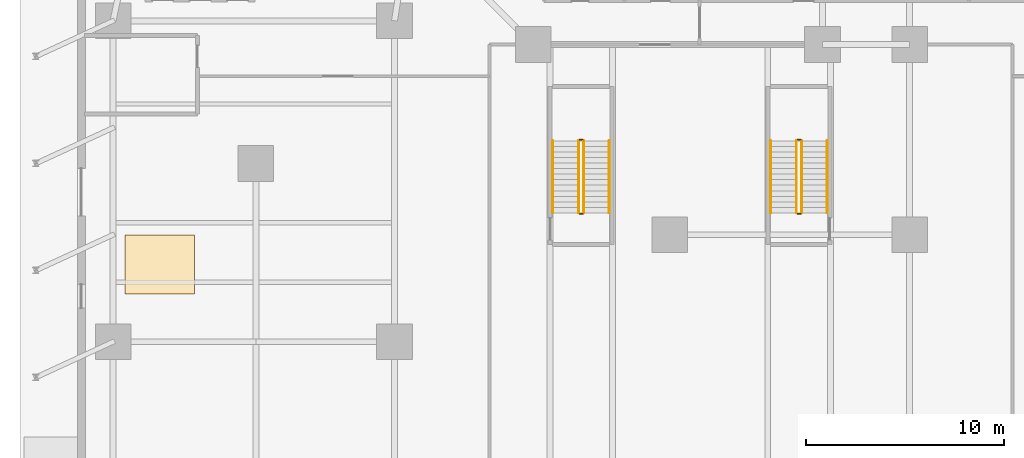
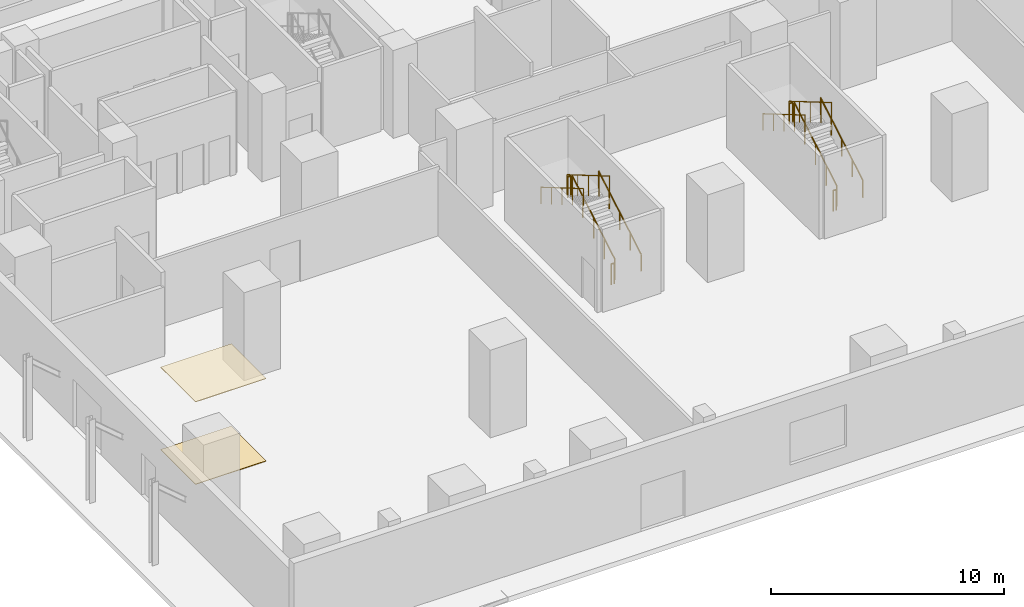
# One storey, part 11 of 14: 12 railings, 2 coverings.
"""IFC4 building model written with IfcOpenShell, lengths in metres."""

from ifc_helpers import new_model, si_unit, direction, frame, origin, origin_2d, place, context, subcontext, project, spatial, polyline, circle, outline, extrude, material, layer, layer_set, type_object, element, save


model = new_model("IFC4")

# Units and contexts
model_context = context("Model", 3, precision=1e-05, world=origin(), true_north=direction((0.0, 1.0)))
body_context = subcontext(model_context, "Body", "Model", "MODEL_VIEW")
ifc_project = project(units=[si_unit("LENGTHUNIT", "METRE"), si_unit("AREAUNIT", "SQUARE_METRE"), si_unit("VOLUMEUNIT", "CUBIC_METRE"), si_unit("PLANEANGLEUNIT", "RADIAN"), si_unit("MASSUNIT", "GRAM", prefix="KILO")], contexts=[model_context])

# Site, building, storey
site_placement = place(None, origin())
site = spatial("IfcSite", under=ifc_project, at=site_placement, CompositionType="ELEMENT")
building_placement = place(site_placement, origin())
building = spatial("IfcBuilding", under=site, at=building_placement, Name="Kuzgunbayir Cultural Tower", CompositionType="ELEMENT")
storey_placement = place(building_placement, origin())
storey = spatial("IfcBuildingStorey", under=building, at=storey_placement, Name="L00", CompositionType="ELEMENT", Elevation=0.0)

# Coverings
ifc_material_1 = material(Name="Perforated Gypsum Acoustic Tile", Category="gypsum")
ifc_layer_1 = layer(ifc_material_1, 0.02490234375)
ifc_layer_set_1 = layer_set([ifc_layer_1], Name="Perforated Gypsum Acoustic Tile")
covering_type_1 = type_object("IfcCoveringType", Name="COV-CEIL-ACOUSTIC", PredefinedType="CEILING", material=ifc_layer_set_1)
covering_1_placement = place(storey_placement, frame((0.0, 0.0, 4.320068359375)))
element("IfcCovering", 1, at=covering_1_placement, inside=storey, type_object=covering_type_1, Name="L00 Acoustic Soffit Ceiling", PredefinedType="CEILING", context=body_context, shape_type="SweptSolid", body=[
    extrude(outline(polyline([(6.0, 15.0), (9.5, 15.0), (9.5, 18.0), (6.0, 18.0), (6.0, 15.0)])), origin(), (0.0, 0.0, 1.0), 0.030029296875),
])
ifc_material_2 = material(Name="Honed Anatolian Marble Terrazzo", Category="masonry")
ifc_layer_2 = layer(ifc_material_2, 0.030029296875)
ifc_layer_set_2 = layer_set([ifc_layer_2], Name="Honed Anatolian Marble Terrazzo")
covering_type_2 = type_object("IfcCoveringType", Name="COV-FLOOR-TERRAZZO", PredefinedType="FLOORING", material=ifc_layer_set_2)
covering_2_placement = place(storey_placement, origin())
element("IfcCovering", 2, at=covering_2_placement, inside=storey, type_object=covering_type_2, Name="L00 Acoustic Floor Finish", PredefinedType="FLOORING", context=body_context, shape_type="SweptSolid", body=[
    extrude(outline(polyline([(6.0, 15.0), (9.5, 15.0), (9.5, 18.0), (6.0, 18.0), (6.0, 15.0)])), origin(), (0.0, 0.0, 1.0), 0.030029296875),
])

# Railings
ifc_material_3 = material(Name="Brushed Stainless Steel", Category="steel")
ifc_layer_3 = layer(ifc_material_3, 0.050048828125)
ifc_layer_set_3 = layer_set([ifc_layer_3], Name="Brushed Stainless Steel")
railing_type_1 = type_object("IfcRailingType", Name="RLG-STAIR-HANDRAIL", PredefinedType="HANDRAIL", material=ifc_layer_set_3)
railing_1_placement = place(storey_placement, frame((30.449951171875, 19.10009765625, 0.164306640625)))
element("IfcRailing", 3, at=railing_1_placement, inside=storey, type_object=railing_type_1, Name="L00 ST-5 stair handrail 1", PredefinedType="HANDRAIL", context=body_context, shape_type="SweptSolid", body=[
    extrude(circle(Radius=0.02392578125, at=origin_2d()), frame((0.0, 0.0, 0.8759765625), z_axis=(0.0, 0.862489892076, 0.506074289079), x_axis=(-1.0, 0.0, 0.0)), (0.0, 0.0, 1.0), 4.22021484375),
    extrude(circle(Radius=0.02099609375, at=origin_2d()), origin(), (0.0, 0.0, 1.0), 0.851806640625),
    extrude(circle(Radius=0.02099609375, at=origin_2d()), frame((0.0, 0.909912109375, 0.533935546875)), (0.0, 0.0, 1.0), 0.851806640625),
    extrude(circle(Radius=0.02099609375, at=origin_2d()), frame((0.0, 1.81982421875, 1.06787109375)), (0.0, 0.0, 1.0), 0.851806640625),
    extrude(circle(Radius=0.02099609375, at=origin_2d()), frame((0.0, 2.72998046875, 1.601806640625)), (0.0, 0.0, 1.0), 0.851806640625),
    extrude(circle(Radius=0.02099609375, at=origin_2d()), frame((0.0, 3.639892578125, 2.1357421875)), (0.0, 0.0, 1.0), 0.851806640625),
])
railing_2_placement = place(storey_placement, frame((27.590087890625, 22.739990234375, 2.46435546875)))
element("IfcRailing", 4, at=railing_2_placement, inside=storey, type_object=railing_type_1, Name="L00 ST-5 stair handrail 2", PredefinedType="HANDRAIL", context=body_context, shape_type="SweptSolid", body=[
    extrude(circle(Radius=0.02392578125, at=origin_2d()), frame((0.0, 0.0, 0.8759765625), z_axis=(0.0, -0.862489892076, 0.506074289079), x_axis=(1.0, 0.0, 0.0)), (0.0, 0.0, 1.0), 4.22021484375),
    extrude(circle(Radius=0.02099609375, at=origin_2d()), origin(), (0.0, 0.0, 1.0), 0.851806640625),
    extrude(circle(Radius=0.02099609375, at=origin_2d()), frame((0.0, -0.909912109375, 0.533935546875)), (0.0, 0.0, 1.0), 0.851806640625),
    extrude(circle(Radius=0.02099609375, at=origin_2d()), frame((0.0, -1.81982421875, 1.06787109375)), (0.0, 0.0, 1.0), 0.851806640625),
    extrude(circle(Radius=0.02099609375, at=origin_2d()), frame((0.0, -2.72998046875, 1.601806640625)), (0.0, 0.0, 1.0), 0.851806640625),
    extrude(circle(Radius=0.02099609375, at=origin_2d()), frame((0.0, -3.639892578125, 2.1357421875)), (0.0, 0.0, 1.0), 0.851806640625),
])
railing_3_placement = place(storey_placement, frame((41.449951171875, 19.10009765625, 0.164306640625)))
element("IfcRailing", 5, at=railing_3_placement, inside=storey, type_object=railing_type_1, Name="L00 ST-6 stair handrail 1", PredefinedType="HANDRAIL", context=body_context, shape_type="SweptSolid", body=[
    extrude(circle(Radius=0.02392578125, at=origin_2d()), frame((0.0, 0.0, 0.8759765625), z_axis=(0.0, 0.862489892076, 0.506074289079), x_axis=(-1.0, 0.0, 0.0)), (0.0, 0.0, 1.0), 4.22021484375),
    extrude(circle(Radius=0.02099609375, at=origin_2d()), origin(), (0.0, 0.0, 1.0), 0.851806640625),
    extrude(circle(Radius=0.02099609375, at=origin_2d()), frame((0.0, 0.909912109375, 0.533935546875)), (0.0, 0.0, 1.0), 0.851806640625),
    extrude(circle(Radius=0.02099609375, at=origin_2d()), frame((0.0, 1.81982421875, 1.06787109375)), (0.0, 0.0, 1.0), 0.851806640625),
    extrude(circle(Radius=0.02099609375, at=origin_2d()), frame((0.0, 2.72998046875, 1.601806640625)), (0.0, 0.0, 1.0), 0.851806640625),
    extrude(circle(Radius=0.02099609375, at=origin_2d()), frame((0.0, 3.639892578125, 2.1357421875)), (0.0, 0.0, 1.0), 0.851806640625),
])
railing_4_placement = place(storey_placement, frame((38.590087890625, 22.739990234375, 2.46435546875)))
element("IfcRailing", 6, at=railing_4_placement, inside=storey, type_object=railing_type_1, Name="L00 ST-6 stair handrail 2", PredefinedType="HANDRAIL", context=body_context, shape_type="SweptSolid", body=[
    extrude(circle(Radius=0.02392578125, at=origin_2d()), frame((0.0, 0.0, 0.8759765625), z_axis=(0.0, -0.862489892076, 0.506074289079), x_axis=(1.0, 0.0, 0.0)), (0.0, 0.0, 1.0), 4.22021484375),
    extrude(circle(Radius=0.02099609375, at=origin_2d()), origin(), (0.0, 0.0, 1.0), 0.851806640625),
    extrude(circle(Radius=0.02099609375, at=origin_2d()), frame((0.0, -0.909912109375, 0.533935546875)), (0.0, 0.0, 1.0), 0.851806640625),
    extrude(circle(Radius=0.02099609375, at=origin_2d()), frame((0.0, -1.81982421875, 1.06787109375)), (0.0, 0.0, 1.0), 0.851806640625),
    extrude(circle(Radius=0.02099609375, at=origin_2d()), frame((0.0, -2.72998046875, 1.601806640625)), (0.0, 0.0, 1.0), 0.851806640625),
    extrude(circle(Radius=0.02099609375, at=origin_2d()), frame((0.0, -3.639892578125, 2.1357421875)), (0.0, 0.0, 1.0), 0.851806640625),
])
ifc_material_4 = material(Name="Painted Steel Balustrade", Category="steel")
ifc_layer_4 = layer(ifc_material_4, 0.06005859375)
ifc_layer_set_4 = layer_set([ifc_layer_4], Name="Painted Steel Balustrade")
railing_type_2 = type_object("IfcRailingType", Name="RLG-WELL-GUARD", PredefinedType="GUARDRAIL", material=ifc_layer_set_4)
railing_5_placement = place(storey_placement, frame((29.14990234375, 19.10009765625, 0.164306640625)))
element("IfcRailing", 7, at=railing_5_placement, inside=storey, type_object=railing_type_2, Name="L00 ST-5 stair guard 1", PredefinedType="GUARDRAIL", context=body_context, shape_type="SweptSolid", body=[
    extrude(circle(Radius=0.02392578125, at=origin_2d()), frame((0.0, 0.0, 1.076171875), z_axis=(0.0, 0.862489892076, 0.506074289079), x_axis=(-1.0, 0.0, 0.0)), (0.0, 0.0, 1.0), 4.22021484375),
    extrude(circle(Radius=0.02099609375, at=origin_2d()), origin(), (0.0, 0.0, 1.0), 1.052001953125),
    extrude(circle(Radius=0.02099609375, at=origin_2d()), frame((0.0, 0.909912109375, 0.533935546875)), (0.0, 0.0, 1.0), 1.052001953125),
    extrude(circle(Radius=0.02099609375, at=origin_2d()), frame((0.0, 1.81982421875, 1.06787109375)), (0.0, 0.0, 1.0), 1.052001953125),
    extrude(circle(Radius=0.02099609375, at=origin_2d()), frame((0.0, 2.72998046875, 1.601806640625)), (0.0, 0.0, 1.0), 1.052001953125),
    extrude(circle(Radius=0.02099609375, at=origin_2d()), frame((0.0, 3.639892578125, 2.1357421875)), (0.0, 0.0, 1.0), 1.052001953125),
])
railing_6_placement = place(storey_placement, frame((29.10009765625, 22.7900390625, 2.300048828125)))
element("IfcRailing", 8, at=railing_6_placement, inside=storey, type_object=railing_type_2, Name="L00 ST-5 stair guard 2", PredefinedType="GUARDRAIL", context=body_context, shape_type="SweptSolid", body=[
    extrude(circle(Radius=0.02392578125, at=origin_2d()), frame((0.0, 0.0, 1.076171875), z_axis=(-1.0, 0.0, 0.0), x_axis=(0.0, -1.0, 0.0)), (0.0, 0.0, 1.0), 0.16015625),
    extrude(circle(Radius=0.02099609375, at=origin_2d()), origin(), (0.0, 0.0, 1.0), 1.052001953125),
    extrude(circle(Radius=0.02099609375, at=origin_2d()), frame((-0.16015625, 0.0, 0.0)), (0.0, 0.0, 1.0), 1.052001953125),
])
railing_7_placement = place(storey_placement, frame((28.889892578125, 22.739990234375, 2.46435546875)))
element("IfcRailing", 9, at=railing_7_placement, inside=storey, type_object=railing_type_2, Name="L00 ST-5 stair guard 3", PredefinedType="GUARDRAIL", context=body_context, shape_type="SweptSolid", body=[
    extrude(circle(Radius=0.02392578125, at=origin_2d()), frame((0.0, 0.0, 1.076171875), z_axis=(0.0, -0.862489892076, 0.506074289079), x_axis=(1.0, 0.0, 0.0)), (0.0, 0.0, 1.0), 4.22021484375),
    extrude(circle(Radius=0.02099609375, at=origin_2d()), origin(), (0.0, 0.0, 1.0), 1.052001953125),
    extrude(circle(Radius=0.02099609375, at=origin_2d()), frame((0.0, -0.909912109375, 0.533935546875)), (0.0, 0.0, 1.0), 1.052001953125),
    extrude(circle(Radius=0.02099609375, at=origin_2d()), frame((0.0, -1.81982421875, 1.06787109375)), (0.0, 0.0, 1.0), 1.052001953125),
    extrude(circle(Radius=0.02099609375, at=origin_2d()), frame((0.0, -2.72998046875, 1.601806640625)), (0.0, 0.0, 1.0), 1.052001953125),
    extrude(circle(Radius=0.02099609375, at=origin_2d()), frame((0.0, -3.639892578125, 2.1357421875)), (0.0, 0.0, 1.0), 1.052001953125),
])
railing_8_placement = place(storey_placement, frame((29.10009765625, 19.050048828125, 0.0)))
element("IfcRailing", 10, at=railing_8_placement, inside=storey, type_object=railing_type_2, Name="L00 ST-5 stair guard 4", PredefinedType="GUARDRAIL", context=body_context, shape_type="SweptSolid", body=[
    extrude(circle(Radius=0.02392578125, at=origin_2d()), frame((0.0, 0.0, 1.076171875), z_axis=(-1.0, 0.0, 0.0), x_axis=(0.0, -1.0, 0.0)), (0.0, 0.0, 1.0), 0.16015625),
    extrude(circle(Radius=0.02099609375, at=origin_2d()), origin(), (0.0, 0.0, 1.0), 1.052001953125),
    extrude(circle(Radius=0.02099609375, at=origin_2d()), frame((-0.16015625, 0.0, 0.0)), (0.0, 0.0, 1.0), 1.052001953125),
])
railing_9_placement = place(storey_placement, frame((40.14990234375, 19.10009765625, 0.164306640625)))
element("IfcRailing", 11, at=railing_9_placement, inside=storey, type_object=railing_type_2, Name="L00 ST-6 stair guard 1", PredefinedType="GUARDRAIL", context=body_context, shape_type="SweptSolid", body=[
    extrude(circle(Radius=0.02392578125, at=origin_2d()), frame((0.0, 0.0, 1.076171875), z_axis=(0.0, 0.862489892076, 0.506074289079), x_axis=(-1.0, 0.0, 0.0)), (0.0, 0.0, 1.0), 4.22021484375),
    extrude(circle(Radius=0.02099609375, at=origin_2d()), origin(), (0.0, 0.0, 1.0), 1.052001953125),
    extrude(circle(Radius=0.02099609375, at=origin_2d()), frame((0.0, 0.909912109375, 0.533935546875)), (0.0, 0.0, 1.0), 1.052001953125),
    extrude(circle(Radius=0.02099609375, at=origin_2d()), frame((0.0, 1.81982421875, 1.06787109375)), (0.0, 0.0, 1.0), 1.052001953125),
    extrude(circle(Radius=0.02099609375, at=origin_2d()), frame((0.0, 2.72998046875, 1.601806640625)), (0.0, 0.0, 1.0), 1.052001953125),
    extrude(circle(Radius=0.02099609375, at=origin_2d()), frame((0.0, 3.639892578125, 2.1357421875)), (0.0, 0.0, 1.0), 1.052001953125),
])
railing_10_placement = place(storey_placement, frame((40.10009765625, 22.7900390625, 2.300048828125)))
element("IfcRailing", 12, at=railing_10_placement, inside=storey, type_object=railing_type_2, Name="L00 ST-6 stair guard 2", PredefinedType="GUARDRAIL", context=body_context, shape_type="SweptSolid", body=[
    extrude(circle(Radius=0.02392578125, at=origin_2d()), frame((0.0, 0.0, 1.076171875), z_axis=(-1.0, 0.0, 0.0), x_axis=(0.0, -1.0, 0.0)), (0.0, 0.0, 1.0), 0.16015625),
    extrude(circle(Radius=0.02099609375, at=origin_2d()), origin(), (0.0, 0.0, 1.0), 1.052001953125),
    extrude(circle(Radius=0.02099609375, at=origin_2d()), frame((-0.16015625, 0.0, 0.0)), (0.0, 0.0, 1.0), 1.052001953125),
])
railing_11_placement = place(storey_placement, frame((39.889892578125, 22.739990234375, 2.46435546875)))
element("IfcRailing", 13, at=railing_11_placement, inside=storey, type_object=railing_type_2, Name="L00 ST-6 stair guard 3", PredefinedType="GUARDRAIL", context=body_context, shape_type="SweptSolid", body=[
    extrude(circle(Radius=0.02392578125, at=origin_2d()), frame((0.0, 0.0, 1.076171875), z_axis=(0.0, -0.862489892076, 0.506074289079), x_axis=(1.0, 0.0, 0.0)), (0.0, 0.0, 1.0), 4.22021484375),
    extrude(circle(Radius=0.02099609375, at=origin_2d()), origin(), (0.0, 0.0, 1.0), 1.052001953125),
    extrude(circle(Radius=0.02099609375, at=origin_2d()), frame((0.0, -0.909912109375, 0.533935546875)), (0.0, 0.0, 1.0), 1.052001953125),
    extrude(circle(Radius=0.02099609375, at=origin_2d()), frame((0.0, -1.81982421875, 1.06787109375)), (0.0, 0.0, 1.0), 1.052001953125),
    extrude(circle(Radius=0.02099609375, at=origin_2d()), frame((0.0, -2.72998046875, 1.601806640625)), (0.0, 0.0, 1.0), 1.052001953125),
    extrude(circle(Radius=0.02099609375, at=origin_2d()), frame((0.0, -3.639892578125, 2.1357421875)), (0.0, 0.0, 1.0), 1.052001953125),
])
railing_12_placement = place(storey_placement, frame((40.10009765625, 19.050048828125, 0.0)))
element("IfcRailing", 14, at=railing_12_placement, inside=storey, type_object=railing_type_2, Name="L00 ST-6 stair guard 4", PredefinedType="GUARDRAIL", context=body_context, shape_type="SweptSolid", body=[
    extrude(circle(Radius=0.02392578125, at=origin_2d()), frame((0.0, 0.0, 1.076171875), z_axis=(-1.0, 0.0, 0.0), x_axis=(0.0, -1.0, 0.0)), (0.0, 0.0, 1.0), 0.16015625),
    extrude(circle(Radius=0.02099609375, at=origin_2d()), origin(), (0.0, 0.0, 1.0), 1.052001953125),
    extrude(circle(Radius=0.02099609375, at=origin_2d()), frame((-0.16015625, 0.0, 0.0)), (0.0, 0.0, 1.0), 1.052001953125),
])

save(model, "model.ifc")
